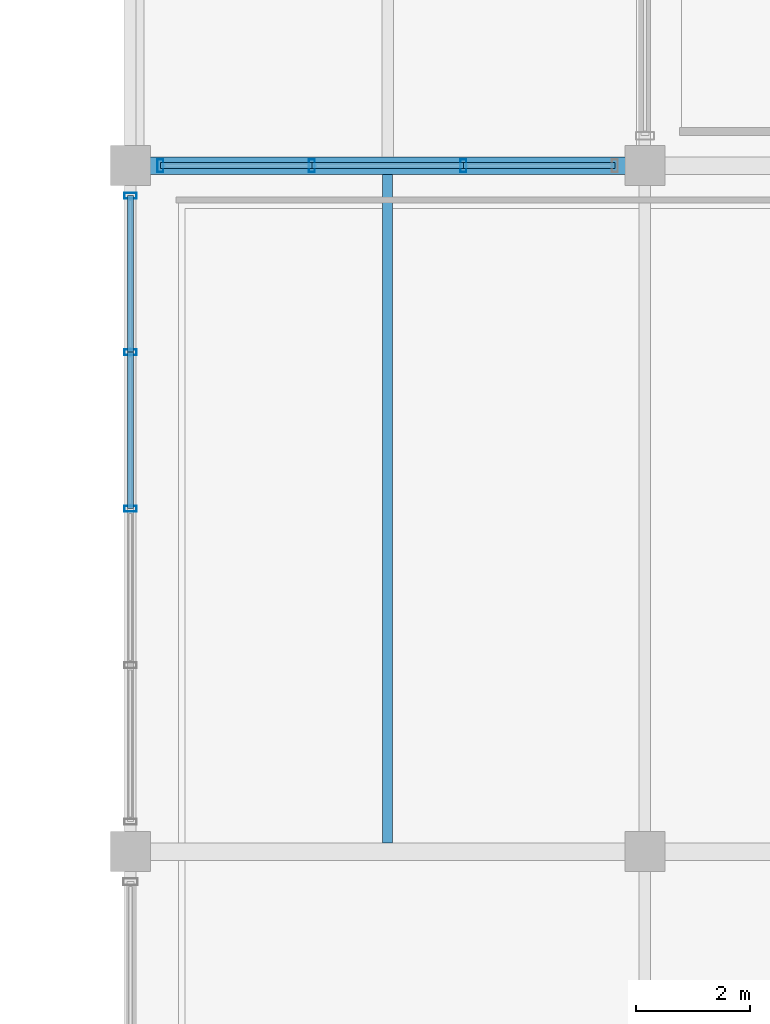
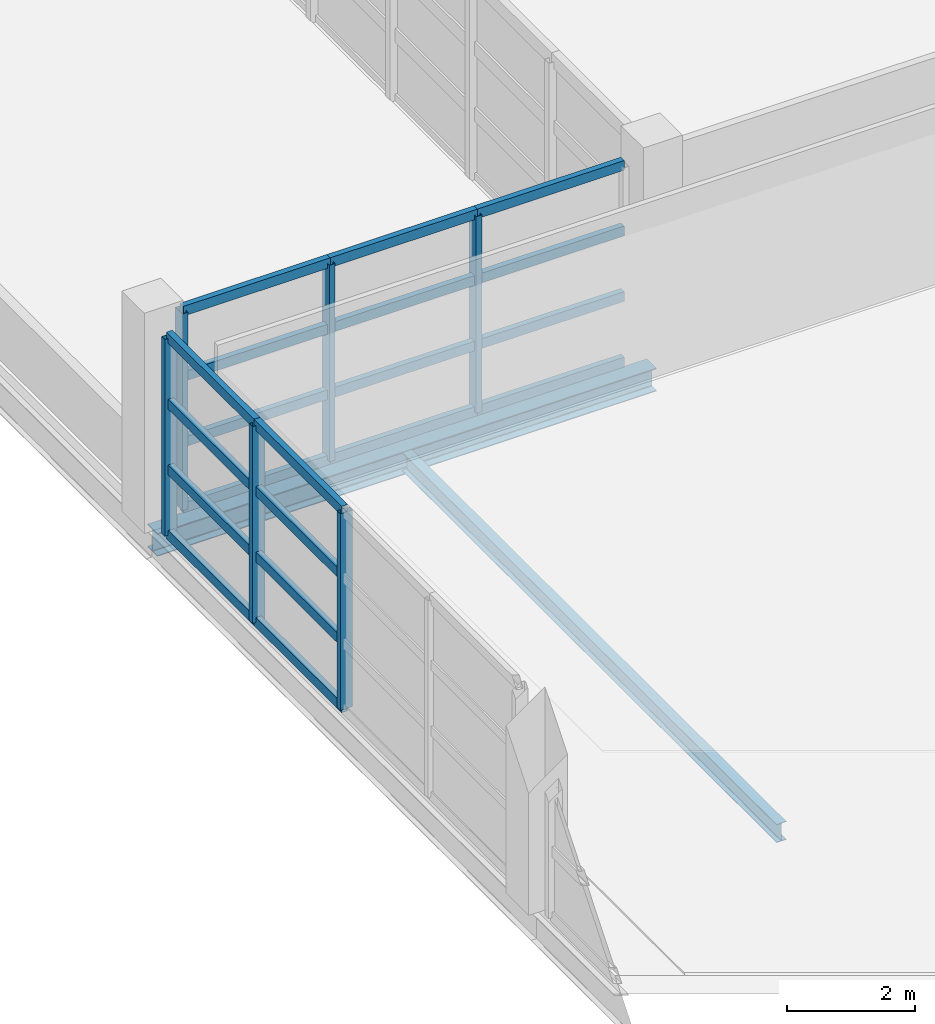
# One storey, part 70 of 136: 26 members, 2 beams, 2 elements without a shape of their own.
"""IFC4 building model written with IfcOpenShell, lengths in metres."""

from ifc_helpers import new_model, si_unit, direction, frame, origin, origin_2d, place, context, subcontext, project, spatial, hollow_rectangle, i_section, extrude, material, material_profile, profile_set, type_object, element, aggregate, save


model = new_model("IFC4")

# Units and contexts
model_context = context("Model", 3, precision=1e-05, world=origin(), true_north=direction((0.0, 1.0)))
body_context = subcontext(model_context, "Body", "Model", "MODEL_VIEW")
ifc_project = project(units=[si_unit("LENGTHUNIT", "METRE"), si_unit("AREAUNIT", "SQUARE_METRE"), si_unit("VOLUMEUNIT", "CUBIC_METRE"), si_unit("PLANEANGLEUNIT", "RADIAN"), si_unit("MASSUNIT", "GRAM", prefix="KILO")], contexts=[model_context])

# Site, building, storey
site_placement = place(None, origin())
site = spatial("IfcSite", under=ifc_project, at=site_placement, CompositionType="ELEMENT")
building_placement = place(site_placement, origin())
building = spatial("IfcBuilding", under=site, at=building_placement, Name="Chuanluo Vaults Station", CompositionType="ELEMENT")
storey_placement = place(building_placement, frame((0.0, 0.0, 6.60009765625)))
storey = spatial("IfcBuildingStorey", under=building, at=storey_placement, Name="L01", CompositionType="ELEMENT", Elevation=6.60009765625)

# Beams
ifc_material_1 = material(Name="Steel Q355C", Category="steel")
ifc_material_profile_1 = material_profile(ifc_material_1, i_section(OverallWidth=0.300048828125, OverallDepth=0.43994140625, WebThickness=0.010986328125, FlangeThickness=0.01806640625, FilletRadius=0.02001953125, at=origin_2d()))
ifc_profile_set_1 = profile_set([ifc_material_profile_1], Name="Steel Q355C")
beam_type_1 = type_object("IfcBeamType", Name="BM-GRD-450", PredefinedType="USERDEFINED", material=ifc_profile_set_1)
beam_1_placement = place(storey_placement, frame((136.0, 54.0, -0.460205078125), z_axis=(1.0, 0.0, 0.0), x_axis=(0.0, 1.0, 0.0)))
element("IfcBeam", 1, at=beam_1_placement, inside=storey, type_object=beam_type_1, Name="Floor girder BM:GX:L01:0328", ObjectType="GIRDER", PredefinedType="USERDEFINED", context=body_context, shape_type="SweptSolid", body=[
    extrude(i_section(OverallWidth=0.300048828125, OverallDepth=0.43994140625, WebThickness=0.010986328125, FlangeThickness=0.01806640625, FilletRadius=0.02001953125, at=origin_2d()), origin(), (0.0, 0.0, 1.0), 9.0),
])
ifc_material_2 = material(Name="Steel Q355C", Category="steel")
ifc_material_profile_2 = material_profile(ifc_material_2, i_section(OverallWidth=0.175048828125, OverallDepth=0.35009765625, WebThickness=0.007080078125, FlangeThickness=0.010986328125, FilletRadius=0.013916015625, at=origin_2d()))
ifc_profile_set_2 = profile_set([ifc_material_profile_2], Name="Steel Q355C")
beam_type_2 = type_object("IfcBeamType", Name="BM-SEC-350", PredefinedType="JOIST", material=ifc_profile_set_2)
beam_2_placement = place(storey_placement, frame((140.5, 42.155029296875, -0.4150390625), z_axis=(0.0, 1.0, 0.0), x_axis=(-1.0, 0.0, 0.0)))
element("IfcBeam", 2, at=beam_2_placement, inside=storey, type_object=beam_type_2, Name="Composite secondary joist 0150", PredefinedType="JOIST", context=body_context, shape_type="SweptSolid", body=[
    extrude(i_section(OverallWidth=0.175048828125, OverallDepth=0.35009765625, WebThickness=0.007080078125, FlangeThickness=0.010986328125, FilletRadius=0.013916015625, at=origin_2d()), origin(), (0.0, 0.0, 1.0), 11.68994140625),
])

# Curtain wall, members
ifc_material_3 = material(Name="Anodised aluminium 6063-T6", Category="aluminium")
curtain_wall_type_1 = type_object("IfcCurtainWallType", Name="CW-SYS-08", PredefinedType="NOTDEFINED", material=ifc_material_3)
curtain_wall_1_placement = place(storey_placement, origin())
curtain_wall_1 = element("IfcCurtainWall", 3, at=curtain_wall_1_placement, inside=storey, type_object=curtain_wall_type_1, Name="Retail pavilion L01 facade CW", PredefinedType="NOTDEFINED")
ifc_material_4 = material(Name="Anodised aluminium 6063-T6", Category="aluminium")
ifc_material_profile_3 = material_profile(ifc_material_4, hollow_rectangle(XDim=0.10498046875, YDim=0.219970703125, WallThickness=0.006103515625, at=origin_2d()))
ifc_profile_set_3 = profile_set([ifc_material_profile_3], Name="Anodised aluminium 6063-T6")
member_type_1 = type_object("IfcMemberType", Name="CWM-140", PredefinedType="MULLION", material=ifc_profile_set_3)
member_1_placement = place(storey_placement, frame((136.0, 48.0, 0.0), z_axis=(0.0, 0.0, 1.0), x_axis=(0.0, 1.0, 0.0)))
member_1 = element("IfcMember", 4, at=member_1_placement, type_object=member_type_1, Name="Retail pavilion L01 facade CW mullion 3", PredefinedType="MULLION", context=body_context, shape_type="SweptSolid", body=[
    extrude(hollow_rectangle(XDim=0.10498046875, YDim=0.219970703125, WallThickness=0.006103515625, at=origin_2d()), origin(), (0.0, 0.0, 1.0), 3.75),
])
member_2_placement = place(storey_placement, frame((136.0, 50.737548828125, 0.0), z_axis=(0.0, 0.0, 1.0), x_axis=(0.0, 1.0, 0.0)))
member_2 = element("IfcMember", 5, at=member_2_placement, type_object=member_type_1, Name="Retail pavilion L01 facade CW mullion 4", PredefinedType="MULLION", context=body_context, shape_type="SweptSolid", body=[
    extrude(hollow_rectangle(XDim=0.10498046875, YDim=0.219970703125, WallThickness=0.006103515625, at=origin_2d()), origin(), (0.0, 0.0, 1.0), 3.75),
])
member_3_placement = place(storey_placement, frame((136.0, 53.47509765625, 0.0), z_axis=(0.0, 0.0, 1.0), x_axis=(0.0, 1.0, 0.0)))
member_3 = element("IfcMember", 6, at=member_3_placement, type_object=member_type_1, Name="Retail pavilion L01 facade CW mullion 5", PredefinedType="MULLION", context=body_context, shape_type="SweptSolid", body=[
    extrude(hollow_rectangle(XDim=0.10498046875, YDim=0.219970703125, WallThickness=0.006103515625, at=origin_2d()), origin(), (0.0, 0.0, 1.0), 3.75),
])

ifc_material_5 = material(Name="Anodised aluminium 6063-T6", Category="aluminium")
curtain_wall_type_2 = type_object("IfcCurtainWallType", Name="CW-SYS-20", PredefinedType="NOTDEFINED", material=ifc_material_5)
curtain_wall_2_placement = place(storey_placement, origin())
curtain_wall_2 = element("IfcCurtainWall", 7, at=curtain_wall_2_placement, inside=storey, type_object=curtain_wall_type_2, Name="Retail pavilion L01 facade CW", PredefinedType="NOTDEFINED")
member_4_placement = place(storey_placement, frame((136.52490234375, 54.0, 0.0), z_axis=(0.0, 0.0, 1.0), x_axis=(1.0, 0.0, 0.0)))
member_4 = element("IfcMember", 8, at=member_4_placement, type_object=member_type_1, Name="Retail pavilion L01 facade CW mullion 1", PredefinedType="MULLION", context=body_context, shape_type="SweptSolid", body=[
    extrude(hollow_rectangle(XDim=0.10498046875, YDim=0.219970703125, WallThickness=0.006103515625, at=origin_2d()), origin(), (0.0, 0.0, 1.0), 3.75),
])
member_5_placement = place(storey_placement, frame((139.175048828125, 54.0, 0.0), z_axis=(0.0, 0.0, 1.0), x_axis=(1.0, 0.0, 0.0)))
member_5 = element("IfcMember", 9, at=member_5_placement, type_object=member_type_1, Name="Retail pavilion L01 facade CW mullion 2", PredefinedType="MULLION", context=body_context, shape_type="SweptSolid", body=[
    extrude(hollow_rectangle(XDim=0.10498046875, YDim=0.219970703125, WallThickness=0.006103515625, at=origin_2d()), origin(), (0.0, 0.0, 1.0), 3.75),
])
member_6_placement = place(storey_placement, frame((141.824951171875, 54.0, 0.0), z_axis=(0.0, 0.0, 1.0), x_axis=(1.0, 0.0, 0.0)))
member_6 = element("IfcMember", 10, at=member_6_placement, type_object=member_type_1, Name="Retail pavilion L01 facade CW mullion 3", PredefinedType="MULLION", context=body_context, shape_type="SweptSolid", body=[
    extrude(hollow_rectangle(XDim=0.10498046875, YDim=0.219970703125, WallThickness=0.006103515625, at=origin_2d()), origin(), (0.0, 0.0, 1.0), 3.75),
])

# Member
ifc_material_6 = material(Name="Anodised aluminium 6063-T6", Category="aluminium")
ifc_material_profile_4 = material_profile(ifc_material_6, hollow_rectangle(XDim=0.10498046875, YDim=0.18505859375, WallThickness=0.0048828125, at=origin_2d()))
ifc_profile_set_4 = profile_set([ifc_material_profile_4], Name="Anodised aluminium 6063-T6")
member_type_2 = type_object("IfcMemberType", Name="CWT-110", PredefinedType="USERDEFINED", material=ifc_profile_set_4)
member_7_placement = place(storey_placement, frame((136.0, 48.0, 0.0), z_axis=(0.0, 1.0, 0.0), x_axis=(-1.0, 0.0, 0.0)))
member_7 = element("IfcMember", 11, at=member_7_placement, type_object=member_type_2, Name="Retail pavilion L01 facade CW transom 3.1", ObjectType="TRANSOM", PredefinedType="USERDEFINED", context=body_context, shape_type="SweptSolid", body=[
    extrude(hollow_rectangle(XDim=0.10498046875, YDim=0.18505859375, WallThickness=0.0048828125, at=origin_2d()), origin(), (0.0, 0.0, 1.0), 2.737548828125),
])

member_8_placement = place(storey_placement, frame((136.0, 48.0, 1.25), z_axis=(0.0, 1.0, 0.0), x_axis=(-1.0, 0.0, 0.0)))
member_8 = element("IfcMember", 12, at=member_8_placement, type_object=member_type_2, Name="Retail pavilion L01 facade CW transom 3.2", ObjectType="TRANSOM", PredefinedType="USERDEFINED", context=body_context, shape_type="SweptSolid", body=[
    extrude(hollow_rectangle(XDim=0.10498046875, YDim=0.18505859375, WallThickness=0.0048828125, at=origin_2d()), origin(), (0.0, 0.0, 1.0), 2.737548828125),
])

member_9_placement = place(storey_placement, frame((136.0, 48.0, 2.5), z_axis=(0.0, 1.0, 0.0), x_axis=(-1.0, 0.0, 0.0)))
member_9 = element("IfcMember", 13, at=member_9_placement, type_object=member_type_2, Name="Retail pavilion L01 facade CW transom 3.3", ObjectType="TRANSOM", PredefinedType="USERDEFINED", context=body_context, shape_type="SweptSolid", body=[
    extrude(hollow_rectangle(XDim=0.10498046875, YDim=0.18505859375, WallThickness=0.0048828125, at=origin_2d()), origin(), (0.0, 0.0, 1.0), 2.737548828125),
])

member_10_placement = place(storey_placement, frame((136.0, 48.0, 3.75), z_axis=(0.0, 1.0, 0.0), x_axis=(-1.0, 0.0, 0.0)))
member_10 = element("IfcMember", 14, at=member_10_placement, type_object=member_type_2, Name="Retail pavilion L01 facade CW transom 3.4", ObjectType="TRANSOM", PredefinedType="USERDEFINED", context=body_context, shape_type="SweptSolid", body=[
    extrude(hollow_rectangle(XDim=0.10498046875, YDim=0.18505859375, WallThickness=0.0048828125, at=origin_2d()), origin(), (0.0, 0.0, 1.0), 2.737548828125),
])

member_11_placement = place(storey_placement, frame((136.0, 50.737548828125, 0.0), z_axis=(0.0, 1.0, 0.0), x_axis=(-1.0, 0.0, 0.0)))
member_11 = element("IfcMember", 15, at=member_11_placement, type_object=member_type_2, Name="Retail pavilion L01 facade CW transom 4.1", ObjectType="TRANSOM", PredefinedType="USERDEFINED", context=body_context, shape_type="SweptSolid", body=[
    extrude(hollow_rectangle(XDim=0.10498046875, YDim=0.18505859375, WallThickness=0.0048828125, at=origin_2d()), origin(), (0.0, 0.0, 1.0), 2.737548828125),
])

member_12_placement = place(storey_placement, frame((136.0, 50.737548828125, 1.25), z_axis=(0.0, 1.0, 0.0), x_axis=(-1.0, 0.0, 0.0)))
member_12 = element("IfcMember", 16, at=member_12_placement, type_object=member_type_2, Name="Retail pavilion L01 facade CW transom 4.2", ObjectType="TRANSOM", PredefinedType="USERDEFINED", context=body_context, shape_type="SweptSolid", body=[
    extrude(hollow_rectangle(XDim=0.10498046875, YDim=0.18505859375, WallThickness=0.0048828125, at=origin_2d()), origin(), (0.0, 0.0, 1.0), 2.737548828125),
])

member_13_placement = place(storey_placement, frame((136.0, 50.737548828125, 2.5), z_axis=(0.0, 1.0, 0.0), x_axis=(-1.0, 0.0, 0.0)))
member_13 = element("IfcMember", 17, at=member_13_placement, type_object=member_type_2, Name="Retail pavilion L01 facade CW transom 4.3", ObjectType="TRANSOM", PredefinedType="USERDEFINED", context=body_context, shape_type="SweptSolid", body=[
    extrude(hollow_rectangle(XDim=0.10498046875, YDim=0.18505859375, WallThickness=0.0048828125, at=origin_2d()), origin(), (0.0, 0.0, 1.0), 2.737548828125),
])

member_14_placement = place(storey_placement, frame((136.0, 50.737548828125, 3.75), z_axis=(0.0, 1.0, 0.0), x_axis=(-1.0, 0.0, 0.0)))
member_14 = element("IfcMember", 18, at=member_14_placement, type_object=member_type_2, Name="Retail pavilion L01 facade CW transom 4.4", ObjectType="TRANSOM", PredefinedType="USERDEFINED", context=body_context, shape_type="SweptSolid", body=[
    extrude(hollow_rectangle(XDim=0.10498046875, YDim=0.18505859375, WallThickness=0.0048828125, at=origin_2d()), origin(), (0.0, 0.0, 1.0), 2.737548828125),
])

aggregate(curtain_wall_1, [member_1, member_2, member_3, member_7, member_8, member_9, member_10, member_11, member_12, member_13, member_14])

member_15_placement = place(storey_placement, frame((136.52490234375, 54.0, 0.0), z_axis=(1.0, 0.0, 0.0), x_axis=(0.0, 1.0, 0.0)))
member_15 = element("IfcMember", 19, at=member_15_placement, type_object=member_type_2, Name="Retail pavilion L01 facade CW transom 1.1", ObjectType="TRANSOM", PredefinedType="USERDEFINED", context=body_context, shape_type="SweptSolid", body=[
    extrude(hollow_rectangle(XDim=0.10498046875, YDim=0.18505859375, WallThickness=0.0048828125, at=origin_2d()), origin(), (0.0, 0.0, 1.0), 2.650146484375),
])

member_16_placement = place(storey_placement, frame((136.52490234375, 54.0, 1.25), z_axis=(1.0, 0.0, 0.0), x_axis=(0.0, 1.0, 0.0)))
member_16 = element("IfcMember", 20, at=member_16_placement, type_object=member_type_2, Name="Retail pavilion L01 facade CW transom 1.2", ObjectType="TRANSOM", PredefinedType="USERDEFINED", context=body_context, shape_type="SweptSolid", body=[
    extrude(hollow_rectangle(XDim=0.10498046875, YDim=0.18505859375, WallThickness=0.0048828125, at=origin_2d()), origin(), (0.0, 0.0, 1.0), 2.650146484375),
])

member_17_placement = place(storey_placement, frame((136.52490234375, 54.0, 2.5), z_axis=(1.0, 0.0, 0.0), x_axis=(0.0, 1.0, 0.0)))
member_17 = element("IfcMember", 21, at=member_17_placement, type_object=member_type_2, Name="Retail pavilion L01 facade CW transom 1.3", ObjectType="TRANSOM", PredefinedType="USERDEFINED", context=body_context, shape_type="SweptSolid", body=[
    extrude(hollow_rectangle(XDim=0.10498046875, YDim=0.18505859375, WallThickness=0.0048828125, at=origin_2d()), origin(), (0.0, 0.0, 1.0), 2.650146484375),
])

member_18_placement = place(storey_placement, frame((136.52490234375, 54.0, 3.75), z_axis=(1.0, 0.0, 0.0), x_axis=(0.0, 1.0, 0.0)))
member_18 = element("IfcMember", 22, at=member_18_placement, type_object=member_type_2, Name="Retail pavilion L01 facade CW transom 1.4", ObjectType="TRANSOM", PredefinedType="USERDEFINED", context=body_context, shape_type="SweptSolid", body=[
    extrude(hollow_rectangle(XDim=0.10498046875, YDim=0.18505859375, WallThickness=0.0048828125, at=origin_2d()), origin(), (0.0, 0.0, 1.0), 2.650146484375),
])

member_19_placement = place(storey_placement, frame((139.175048828125, 54.0, 0.0), z_axis=(1.0, 0.0, 0.0), x_axis=(0.0, 1.0, 0.0)))
member_19 = element("IfcMember", 23, at=member_19_placement, type_object=member_type_2, Name="Retail pavilion L01 facade CW transom 2.1", ObjectType="TRANSOM", PredefinedType="USERDEFINED", context=body_context, shape_type="SweptSolid", body=[
    extrude(hollow_rectangle(XDim=0.10498046875, YDim=0.18505859375, WallThickness=0.0048828125, at=origin_2d()), origin(), (0.0, 0.0, 1.0), 2.64990234375),
])

member_20_placement = place(storey_placement, frame((139.175048828125, 54.0, 1.25), z_axis=(1.0, 0.0, 0.0), x_axis=(0.0, 1.0, 0.0)))
member_20 = element("IfcMember", 24, at=member_20_placement, type_object=member_type_2, Name="Retail pavilion L01 facade CW transom 2.2", ObjectType="TRANSOM", PredefinedType="USERDEFINED", context=body_context, shape_type="SweptSolid", body=[
    extrude(hollow_rectangle(XDim=0.10498046875, YDim=0.18505859375, WallThickness=0.0048828125, at=origin_2d()), origin(), (0.0, 0.0, 1.0), 2.64990234375),
])

member_21_placement = place(storey_placement, frame((139.175048828125, 54.0, 2.5), z_axis=(1.0, 0.0, 0.0), x_axis=(0.0, 1.0, 0.0)))
member_21 = element("IfcMember", 25, at=member_21_placement, type_object=member_type_2, Name="Retail pavilion L01 facade CW transom 2.3", ObjectType="TRANSOM", PredefinedType="USERDEFINED", context=body_context, shape_type="SweptSolid", body=[
    extrude(hollow_rectangle(XDim=0.10498046875, YDim=0.18505859375, WallThickness=0.0048828125, at=origin_2d()), origin(), (0.0, 0.0, 1.0), 2.64990234375),
])

member_22_placement = place(storey_placement, frame((139.175048828125, 54.0, 3.75), z_axis=(1.0, 0.0, 0.0), x_axis=(0.0, 1.0, 0.0)))
member_22 = element("IfcMember", 26, at=member_22_placement, type_object=member_type_2, Name="Retail pavilion L01 facade CW transom 2.4", ObjectType="TRANSOM", PredefinedType="USERDEFINED", context=body_context, shape_type="SweptSolid", body=[
    extrude(hollow_rectangle(XDim=0.10498046875, YDim=0.18505859375, WallThickness=0.0048828125, at=origin_2d()), origin(), (0.0, 0.0, 1.0), 2.64990234375),
])

member_23_placement = place(storey_placement, frame((141.824951171875, 54.0, 0.0), z_axis=(1.0, 0.0, 0.0), x_axis=(0.0, 1.0, 0.0)))
member_23 = element("IfcMember", 27, at=member_23_placement, type_object=member_type_2, Name="Retail pavilion L01 facade CW transom 3.1", ObjectType="TRANSOM", PredefinedType="USERDEFINED", context=body_context, shape_type="SweptSolid", body=[
    extrude(hollow_rectangle(XDim=0.10498046875, YDim=0.18505859375, WallThickness=0.0048828125, at=origin_2d()), origin(), (0.0, 0.0, 1.0), 2.650146484375),
])

member_24_placement = place(storey_placement, frame((141.824951171875, 54.0, 1.25), z_axis=(1.0, 0.0, 0.0), x_axis=(0.0, 1.0, 0.0)))
member_24 = element("IfcMember", 28, at=member_24_placement, type_object=member_type_2, Name="Retail pavilion L01 facade CW transom 3.2", ObjectType="TRANSOM", PredefinedType="USERDEFINED", context=body_context, shape_type="SweptSolid", body=[
    extrude(hollow_rectangle(XDim=0.10498046875, YDim=0.18505859375, WallThickness=0.0048828125, at=origin_2d()), origin(), (0.0, 0.0, 1.0), 2.650146484375),
])

member_25_placement = place(storey_placement, frame((141.824951171875, 54.0, 2.5), z_axis=(1.0, 0.0, 0.0), x_axis=(0.0, 1.0, 0.0)))
member_25 = element("IfcMember", 29, at=member_25_placement, type_object=member_type_2, Name="Retail pavilion L01 facade CW transom 3.3", ObjectType="TRANSOM", PredefinedType="USERDEFINED", context=body_context, shape_type="SweptSolid", body=[
    extrude(hollow_rectangle(XDim=0.10498046875, YDim=0.18505859375, WallThickness=0.0048828125, at=origin_2d()), origin(), (0.0, 0.0, 1.0), 2.650146484375),
])

member_26_placement = place(storey_placement, frame((141.824951171875, 54.0, 3.75), z_axis=(1.0, 0.0, 0.0), x_axis=(0.0, 1.0, 0.0)))
member_26 = element("IfcMember", 30, at=member_26_placement, type_object=member_type_2, Name="Retail pavilion L01 facade CW transom 3.4", ObjectType="TRANSOM", PredefinedType="USERDEFINED", context=body_context, shape_type="SweptSolid", body=[
    extrude(hollow_rectangle(XDim=0.10498046875, YDim=0.18505859375, WallThickness=0.0048828125, at=origin_2d()), origin(), (0.0, 0.0, 1.0), 2.650146484375),
])

aggregate(curtain_wall_2, [member_4, member_5, member_6, member_15, member_16, member_17, member_18, member_19, member_20, member_21, member_22, member_23, member_24, member_25, member_26])

save(model, "model.ifc")
